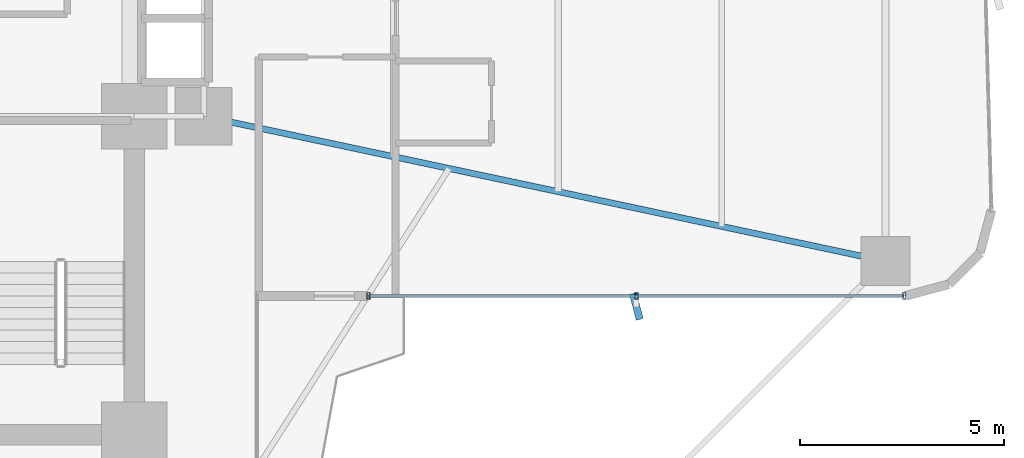
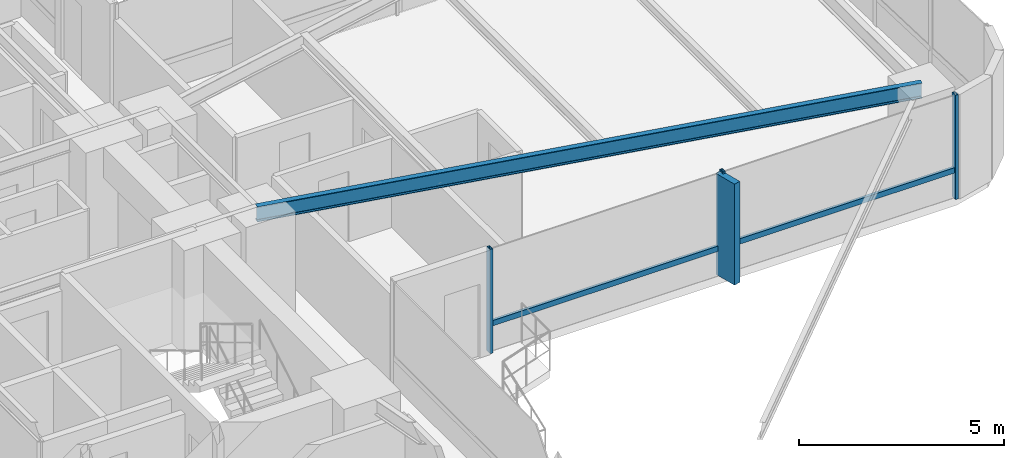
# One storey, part 14 of 25: 6 members, 1 beam, 1 element without a shape of its own.
"""IFC4 building model written with IfcOpenShell, lengths in metres."""

from ifc_helpers import new_model, si_unit, direction, frame, origin, origin_2d, place, context, subcontext, project, spatial, rectangle, hollow_rectangle, i_section, extrude, source, transform, mapped, material, material_profile, profile_set, type_object, element, aggregate, save


model = new_model("IFC4")

# Units and contexts
model_context = context("Model", 3, precision=1e-05, world=origin(), true_north=direction((0.0, 1.0)))
body_context = subcontext(model_context, "Body", "Model", "MODEL_VIEW")
ifc_project = project(units=[si_unit("LENGTHUNIT", "METRE"), si_unit("AREAUNIT", "SQUARE_METRE"), si_unit("VOLUMEUNIT", "CUBIC_METRE"), si_unit("PLANEANGLEUNIT", "RADIAN"), si_unit("MASSUNIT", "GRAM", prefix="KILO")], contexts=[model_context])

# Site, building, storey
site_placement = place(None, origin())
site = spatial("IfcSite", under=ifc_project, at=site_placement, CompositionType="ELEMENT")
building_placement = place(site_placement, origin())
building = spatial("IfcBuilding", under=site, at=building_placement, Name="Sahyath Konkavel Grand Hotel", CompositionType="ELEMENT")
storey_placement = place(building_placement, frame((0.0, 0.0, 54.39990234375)))
storey = spatial("IfcBuildingStorey", under=building, at=storey_placement, Name="L14", CompositionType="ELEMENT", Elevation=54.39990234375)

# Beam
ifc_material_1 = material(Name="Steel E350", Category="steel")
ifc_material_profile_1 = material_profile(ifc_material_1, i_section(OverallWidth=0.14990234375, OverallDepth=0.449951171875, WebThickness=0.009521484375, FlangeThickness=0.017333984375, FilletRadius=0.014892578125, at=origin_2d()), Name="ISMB 450")
ifc_profile_set_1 = profile_set([ifc_material_profile_1], Name="Steel E350")
beam_type = type_object("IfcBeamType", Name="BM-ISMB450", PredefinedType="BEAM", material=ifc_profile_set_1)
shared_shape_1 = source(origin(), body_context, "Body", "SweptSolid", [
    extrude(i_section(OverallWidth=0.14990234375, OverallDepth=0.449951171875, WebThickness=0.009521484375, FlangeThickness=0.017333984375, FilletRadius=0.014892578125, at=origin_2d()), origin(), (0.0, 0.0, 1.0), 17.072998046875),
])
beam_placement = place(storey_placement, frame((5.5, -2.39990234375, 2.885009765625), z_axis=(0.978143257225, -0.20793212437, 0.0), x_axis=(0.20793212437, 0.978143257225, 0.0)))
element("IfcBeam", 1, at=beam_placement, inside=storey, type_object=beam_type, Name="L14 Cruciform Radial Girder EA", PredefinedType="BEAM", context=body_context, shape_type="MappedRepresentation", body=[
    mapped(shared_shape_1, transform((0.0, 0.0, 0.0), scale=1.0)),
])

# Curtain wall, members
ifc_material_2 = material(Name="Anodised Bronze Aluminium & Low-E Glazing", Category="aluminium")
curtain_wall_type = type_object("IfcCurtainWallType", Name="CW-ZONE1", PredefinedType="NOTDEFINED", material=ifc_material_2)
curtain_wall_placement = place(storey_placement, origin())
curtain_wall = element("IfcCurtainWall", 2, at=curtain_wall_placement, inside=storey, type_object=curtain_wall_type, Name="L14 Unitised Curtain Wall F0", PredefinedType="NOTDEFINED")
ifc_material_3 = material(Name="Warm Buff Sandstone Cladding on Concrete C50/60", Category="masonry")
ifc_material_profile_2 = material_profile(ifc_material_3, rectangle(XDim=0.179931640625, YDim=0.64990234375, at=origin_2d()), Name="FIN 180x650")
ifc_profile_set_2 = profile_set([ifc_material_profile_2], Name="Warm Buff Sandstone Cladding on Concrete C50/60")
member_type_1 = type_object("IfcMemberType", Name="FIN-SANDSTONE-650", PredefinedType="MULLION", material=ifc_profile_set_2)
shared_shape_2 = source(origin(), body_context, "Body", "SweptSolid", [
    extrude(rectangle(XDim=0.179931640625, YDim=0.64990234375, at=origin_2d()), origin(), (0.0, 0.0, 1.0), 3.010009765625),
])
member_1_placement = place(storey_placement, frame((16.10009765625, -7.06005859375, 0.050048828125), z_axis=(0.0, 0.0, 1.0), x_axis=(0.96862655095, 0.248520833726, 0.0)))
member_1 = element("IfcMember", 3, at=member_1_placement, type_object=member_type_1, Name="L14 Sandstone Vertical Solar Fin FIN F0-1", PredefinedType="MULLION", context=body_context, shape_type="MappedRepresentation", body=[
    mapped(shared_shape_2, transform((0.0, 0.0, 0.0), scale=1.0)),
])
ifc_material_4 = material(Name="Anodised Bronze Aluminium", Category="aluminium")
ifc_material_profile_3 = material_profile(ifc_material_4, hollow_rectangle(XDim=0.080078125, YDim=0.159912109375, WallThickness=0.006103515625, at=origin_2d()), Name="RHS 160x80x6")
ifc_profile_set_3 = profile_set([ifc_material_profile_3], Name="Anodised Bronze Aluminium")
member_type_2 = type_object("IfcMemberType", Name="CW-MUL-160", PredefinedType="MULLION", material=ifc_profile_set_3)
shared_shape_3 = source(origin(), body_context, "Body", "SweptSolid", [
    extrude(hollow_rectangle(XDim=0.080078125, YDim=0.159912109375, WallThickness=0.006103515625, at=origin_2d()), origin(), (0.0, 0.0, 1.0), 3.110107421875),
])
member_2_placement = place(storey_placement, frame((9.5400390625, -6.800048828125, 0.0), z_axis=(0.0, 0.0, 1.0), x_axis=(1.0, 0.0, 0.0)))
member_2 = element("IfcMember", 4, at=member_2_placement, type_object=member_type_2, Name="L14 Curtain Wall Mullion F0-0", PredefinedType="MULLION", context=body_context, shape_type="MappedRepresentation", body=[
    mapped(shared_shape_3, transform((0.0, 0.0, 0.0), scale=1.0)),
])
member_3_placement = place(storey_placement, frame((16.10009765625, -6.800048828125, 0.0), z_axis=(0.0, 0.0, 1.0), x_axis=(1.0, 0.0, 0.0)))
member_3 = element("IfcMember", 5, at=member_3_placement, type_object=member_type_2, Name="L14 Curtain Wall Mullion F0-1", PredefinedType="MULLION", context=body_context, shape_type="MappedRepresentation", body=[
    mapped(shared_shape_3, transform((0.0, 0.0, 0.0), scale=1.0)),
])
member_4_placement = place(storey_placement, frame((22.659912109375, -6.800048828125, 0.0), z_axis=(0.0, 0.0, 1.0), x_axis=(1.0, 0.0, 0.0)))
member_4 = element("IfcMember", 6, at=member_4_placement, type_object=member_type_2, Name="L14 Curtain Wall Mullion F0-2", PredefinedType="MULLION", context=body_context, shape_type="MappedRepresentation", body=[
    mapped(shared_shape_3, transform((0.0, 0.0, 0.0), scale=1.0)),
])
ifc_material_profile_4 = material_profile(ifc_material_4, hollow_rectangle(XDim=0.080078125, YDim=0.159912109375, WallThickness=0.006103515625, at=origin_2d()), Name="RHS 160x80x6")
ifc_profile_set_4 = profile_set([ifc_material_profile_4], Name="Anodised Bronze Aluminium")
member_type_3 = type_object("IfcMemberType", Name="CW-TRN-160", PredefinedType="USERDEFINED", material=ifc_profile_set_4)
shared_shape_4 = source(origin(), body_context, "Body", "SweptSolid", [
    extrude(hollow_rectangle(XDim=0.080078125, YDim=0.159912109375, WallThickness=0.006103515625, at=origin_2d()), origin(), (0.0, 0.0, 1.0), 6.56005859375),
])
member_5_placement = place(storey_placement, frame((9.5400390625, -6.800048828125, 0.85009765625), z_axis=(1.0, 0.0, 0.0), x_axis=(0.0, 1.0, 0.0)))
member_5 = element("IfcMember", 7, at=member_5_placement, type_object=member_type_3, Name="L14 Curtain Wall Transom F0-0-spandrel", ObjectType="TRANSOM", PredefinedType="USERDEFINED", context=body_context, shape_type="MappedRepresentation", body=[
    mapped(shared_shape_4, transform((0.0, 0.0, 0.0), scale=1.0)),
])
shared_shape_5 = source(origin(), body_context, "Body", "SweptSolid", [
    extrude(hollow_rectangle(XDim=0.080078125, YDim=0.159912109375, WallThickness=0.006103515625, at=origin_2d()), origin(), (0.0, 0.0, 1.0), 6.559814453125),
])
member_6_placement = place(storey_placement, frame((16.10009765625, -6.800048828125, 0.85009765625), z_axis=(1.0, 0.0, 0.0), x_axis=(0.0, 1.0, 0.0)))
member_6 = element("IfcMember", 8, at=member_6_placement, type_object=member_type_3, Name="L14 Curtain Wall Transom F0-1-spandrel", ObjectType="TRANSOM", PredefinedType="USERDEFINED", context=body_context, shape_type="MappedRepresentation", body=[
    mapped(shared_shape_5, transform((0.0, 0.0, 0.0), scale=1.0)),
])
aggregate(curtain_wall, [member_2, member_3, member_1, member_4, member_5, member_6])

save(model, "model.ifc")
